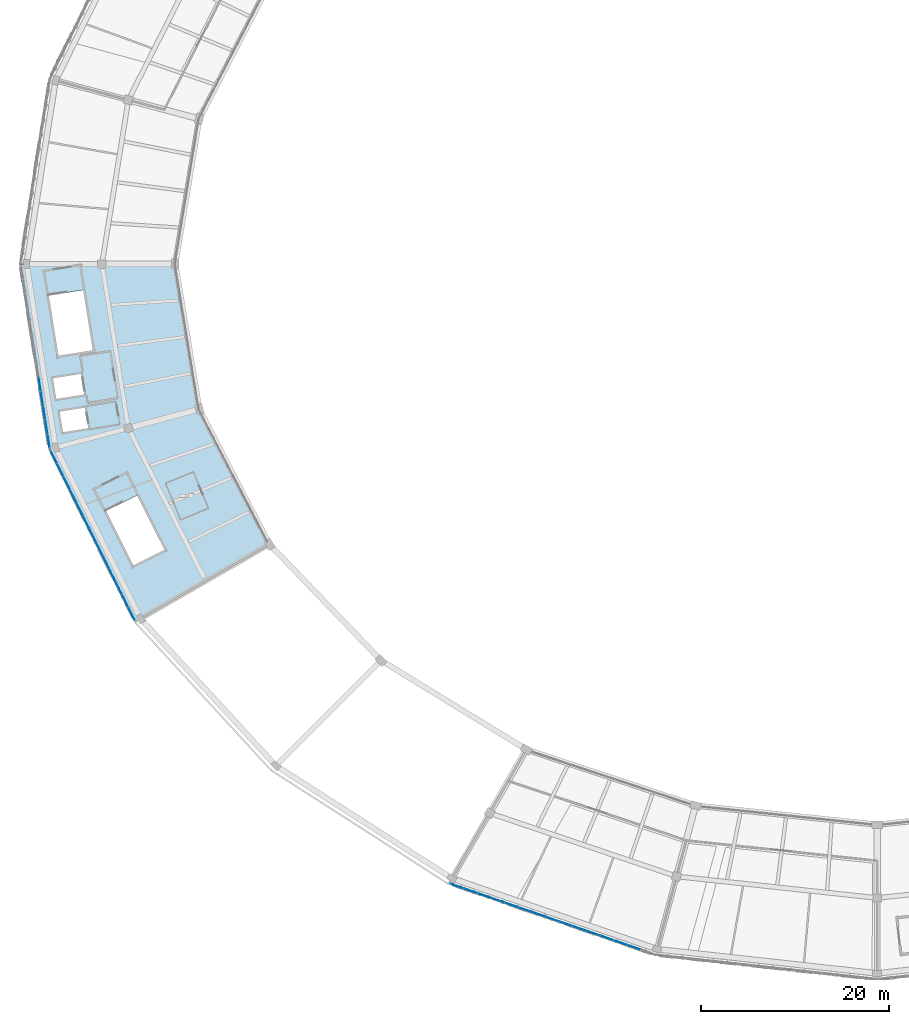
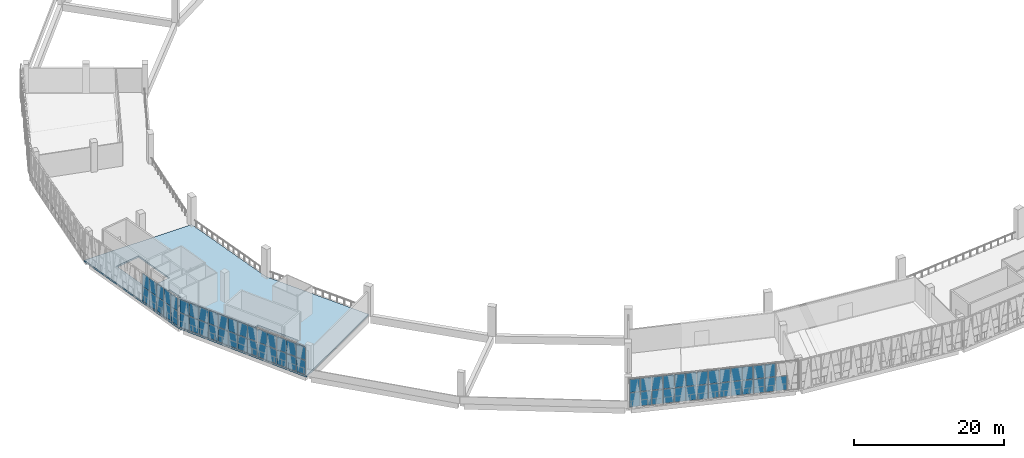
# One storey, part 33 of 64: 63 plates, 1 slab, 3 elements without a shape of their own.
"""IFC4 building model written with IfcOpenShell, lengths in metres."""

from ifc_helpers import new_model, si_unit, direction, frame, origin, origin_2d, place, context, subcontext, project, spatial, polyline, rectangle, outline, extrude, material, layer, layer_set, type_object, element, aggregate, save


model = new_model("IFC4")

# Units and contexts
model_context = context("Model", 3, precision=1e-05, world=origin(), true_north=direction((0.0, 1.0)))
body_context = subcontext(model_context, "Body", "Model", "MODEL_VIEW")
ifc_project = project(units=[si_unit("LENGTHUNIT", "METRE"), si_unit("AREAUNIT", "SQUARE_METRE"), si_unit("VOLUMEUNIT", "CUBIC_METRE"), si_unit("PLANEANGLEUNIT", "RADIAN"), si_unit("MASSUNIT", "GRAM", prefix="KILO")], contexts=[model_context])

# Site, building, storey
site_placement = place(None, origin())
site = spatial("IfcSite", under=ifc_project, at=site_placement, CompositionType="ELEMENT")
building_placement = place(site_placement, origin())
building = spatial("IfcBuilding", under=site, at=building_placement, Name="Zevraka Park Crest Stadium", CompositionType="ELEMENT")
storey_placement = place(building_placement, frame((0.0, 0.0, 24.60009765625)))
storey = spatial("IfcBuildingStorey", under=building, at=storey_placement, Name="L05", CompositionType="ELEMENT", Elevation=24.60009765625)

# Curtain wall, plates
ifc_material_1 = material(Name="Anodised architectural aluminium and laminated safety glass", Category="aluminium")
curtain_wall_type_1 = type_object("IfcCurtainWallType", Name="CW21", PredefinedType="NOTDEFINED", material=ifc_material_1)
curtain_wall_1_placement = place(storey_placement, origin())
curtain_wall_1 = element("IfcCurtainWall", 1, at=curtain_wall_1_placement, inside=storey, type_object=curtain_wall_type_1, Name="Unitised Ring Curtain Wall CW21 L05-12", PredefinedType="NOTDEFINED")
ifc_material_2 = material(Name="Solar-control laminated double glazing", Category="glass")
ifc_layer_1 = layer(ifc_material_2, 0.031982421875)
ifc_layer_set_1 = layer_set([ifc_layer_1], Name="Solar-control laminated double glazing")
plate_type_1 = type_object("IfcPlateType", Name="CP21", PredefinedType="CURTAIN_PANEL", material=ifc_layer_set_1)
plate_1_placement = place(storey_placement, frame((23.099853515625, 79.19384765625, 0.06982421875), z_axis=(0.0, 0.0, 1.0), x_axis=(0.155711467527, -0.987802580924, 0.0)))
plate_1 = element("IfcPlate", 2, at=plate_1_placement, type_object=plate_type_1, Name="CW21 panel 9.1", PredefinedType="CURTAIN_PANEL", context=body_context, shape_type="SweptSolid", body=[
    extrude(rectangle(XDim=1.440185546875, YDim=0.031982421875, at=origin_2d()), origin(), (0.0, 0.0, 1.0), 2.294921875),
])
plate_2_placement = place(storey_placement, frame((23.099853515625, 79.19384765625, 2.43505859375), z_axis=(0.0, 0.0, 1.0), x_axis=(0.155711467527, -0.987802580924, 0.0)))
plate_2 = element("IfcPlate", 3, at=plate_2_placement, type_object=plate_type_1, Name="CW21 panel 9.2", PredefinedType="CURTAIN_PANEL", context=body_context, shape_type="SweptSolid", body=[
    extrude(rectangle(XDim=1.440185546875, YDim=0.031982421875, at=origin_2d()), origin(), (0.0, 0.0, 1.0), 2.114990234375),
])
plate_3_placement = place(storey_placement, frame((23.3349609375, 77.7021484375, 0.06982421875), z_axis=(0.0, 0.0, 1.0), x_axis=(0.155711467527, -0.987802580924, 0.0)))
plate_3 = element("IfcPlate", 4, at=plate_3_placement, type_object=plate_type_1, Name="CW21 panel 10.1", PredefinedType="CURTAIN_PANEL", context=body_context, shape_type="SweptSolid", body=[
    extrude(rectangle(XDim=1.440185546875, YDim=0.031982421875, at=origin_2d()), origin(), (0.0, 0.0, 1.0), 2.294921875),
])
plate_4_placement = place(storey_placement, frame((23.3349609375, 77.7021484375, 2.43505859375), z_axis=(0.0, 0.0, 1.0), x_axis=(0.155711467527, -0.987802580924, 0.0)))
plate_4 = element("IfcPlate", 5, at=plate_4_placement, type_object=plate_type_1, Name="CW21 panel 10.2", PredefinedType="CURTAIN_PANEL", context=body_context, shape_type="SweptSolid", body=[
    extrude(rectangle(XDim=1.440185546875, YDim=0.031982421875, at=origin_2d()), origin(), (0.0, 0.0, 1.0), 2.114990234375),
])
plate_5_placement = place(storey_placement, frame((23.570068359375, 76.21044921875, 0.06982421875), z_axis=(0.0, 0.0, 1.0), x_axis=(0.155711467527, -0.987802580924, 0.0)))
plate_5 = element("IfcPlate", 6, at=plate_5_placement, type_object=plate_type_1, Name="CW21 panel 11.1", PredefinedType="CURTAIN_PANEL", context=body_context, shape_type="SweptSolid", body=[
    extrude(rectangle(XDim=1.440185546875, YDim=0.031982421875, at=origin_2d()), origin(), (0.0, 0.0, 1.0), 2.294921875),
])
plate_6_placement = place(storey_placement, frame((23.570068359375, 76.21044921875, 2.43505859375), z_axis=(0.0, 0.0, 1.0), x_axis=(0.155711467527, -0.987802580924, 0.0)))
plate_6 = element("IfcPlate", 7, at=plate_6_placement, type_object=plate_type_1, Name="CW21 panel 11.2", PredefinedType="CURTAIN_PANEL", context=body_context, shape_type="SweptSolid", body=[
    extrude(rectangle(XDim=1.440185546875, YDim=0.031982421875, at=origin_2d()), origin(), (0.0, 0.0, 1.0), 2.114990234375),
])
plate_7_placement = place(storey_placement, frame((23.80517578125, 74.71875, 0.06982421875), z_axis=(0.0, 0.0, 1.0), x_axis=(0.155711467527, -0.987802580924, 0.0)))
plate_7 = element("IfcPlate", 8, at=plate_7_placement, type_object=plate_type_1, Name="CW21 panel 12.1", PredefinedType="CURTAIN_PANEL", context=body_context, shape_type="SweptSolid", body=[
    extrude(rectangle(XDim=1.440185546875, YDim=0.031982421875, at=origin_2d()), origin(), (0.0, 0.0, 1.0), 2.294921875),
])
plate_8_placement = place(storey_placement, frame((23.80517578125, 74.71875, 2.43505859375), z_axis=(0.0, 0.0, 1.0), x_axis=(0.155711467527, -0.987802580924, 0.0)))
plate_8 = element("IfcPlate", 9, at=plate_8_placement, type_object=plate_type_1, Name="CW21 panel 12.2", PredefinedType="CURTAIN_PANEL", context=body_context, shape_type="SweptSolid", body=[
    extrude(rectangle(XDim=1.440185546875, YDim=0.031982421875, at=origin_2d()), origin(), (0.0, 0.0, 1.0), 2.114990234375),
])
plate_9_placement = place(storey_placement, frame((24.03759765625, 73.244140625, 0.06982421875), z_axis=(0.0, 0.0, 1.0), x_axis=(0.155711467527, -0.987802580924, 0.0)))
plate_9 = element("IfcPlate", 10, at=plate_9_placement, type_object=plate_type_1, Name="CW21 panel 13.1", PredefinedType="CURTAIN_PANEL", context=body_context, shape_type="SweptSolid", body=[
    extrude(rectangle(XDim=1.4052734375, YDim=0.031982421875, at=origin_2d()), origin(), (0.0, 0.0, 1.0), 2.294921875),
])
plate_10_placement = place(storey_placement, frame((24.03759765625, 73.244140625, 2.43505859375), z_axis=(0.0, 0.0, 1.0), x_axis=(0.155711467527, -0.987802580924, 0.0)))
plate_10 = element("IfcPlate", 11, at=plate_10_placement, type_object=plate_type_1, Name="CW21 panel 13.2", PredefinedType="CURTAIN_PANEL", context=body_context, shape_type="SweptSolid", body=[
    extrude(rectangle(XDim=1.4052734375, YDim=0.031982421875, at=origin_2d()), origin(), (0.0, 0.0, 1.0), 2.114990234375),
])
aggregate(curtain_wall_1, [plate_1, plate_2, plate_3, plate_4, plate_5, plate_6, plate_7, plate_8, plate_9, plate_10])

ifc_material_3 = material(Name="Anodised architectural aluminium and laminated safety glass", Category="aluminium")
curtain_wall_type_2 = type_object("IfcCurtainWallType", Name="CW22", PredefinedType="NOTDEFINED", material=ifc_material_3)
curtain_wall_2_placement = place(storey_placement, origin())
curtain_wall_2 = element("IfcCurtainWall", 12, at=curtain_wall_2_placement, inside=storey, type_object=curtain_wall_type_2, Name="Unitised Ring Curtain Wall CW22 L05-13", PredefinedType="NOTDEFINED")
ifc_material_4 = material(Name="Solar-control laminated double glazing", Category="glass")
ifc_layer_2 = layer(ifc_material_4, 0.031982421875)
ifc_layer_set_2 = layer_set([ifc_layer_2], Name="Solar-control laminated double glazing")
plate_type_2 = type_object("IfcPlateType", Name="CP22", PredefinedType="CURTAIN_PANEL", material=ifc_layer_set_2)
plate_11_placement = place(storey_placement, frame((24.58642578125, 71.53125, 0.059814453125), z_axis=(0.0, 0.0, 1.0), x_axis=(0.444297471499, -0.895879320455, 0.0)))
plate_11 = element("IfcPlate", 13, at=plate_11_placement, type_object=plate_type_2, Name="CW22 panel 1.1", PredefinedType="CURTAIN_PANEL", context=body_context, shape_type="SweptSolid", body=[
    extrude(rectangle(XDim=1.46240234375, YDim=0.031982421875, at=origin_2d()), origin(), (0.0, 0.0, 1.0), 2.31005859375),
])
plate_12_placement = place(storey_placement, frame((24.58642578125, 71.53125, 2.429931640625), z_axis=(0.0, 0.0, 1.0), x_axis=(0.444297471499, -0.895879320455, 0.0)))
plate_12 = element("IfcPlate", 14, at=plate_12_placement, type_object=plate_type_2, Name="CW22 panel 1.2", PredefinedType="CURTAIN_PANEL", context=body_context, shape_type="SweptSolid", body=[
    extrude(rectangle(XDim=1.46240234375, YDim=0.031982421875, at=origin_2d()), origin(), (0.0, 0.0, 1.0), 2.1298828125),
])
plate_13_placement = place(storey_placement, frame((25.26953125, 70.154052734375, 0.059814453125), z_axis=(0.0, 0.0, 1.0), x_axis=(0.444297471499, -0.895879320455, 0.0)))
plate_13 = element("IfcPlate", 15, at=plate_13_placement, type_object=plate_type_2, Name="CW22 panel 2.1", PredefinedType="CURTAIN_PANEL", context=body_context, shape_type="SweptSolid", body=[
    extrude(rectangle(XDim=1.492431640625, YDim=0.031982421875, at=origin_2d()), origin(), (0.0, 0.0, 1.0), 2.31005859375),
])
plate_14_placement = place(storey_placement, frame((25.26953125, 70.154052734375, 2.429931640625), z_axis=(0.0, 0.0, 1.0), x_axis=(0.444297471499, -0.895879320455, 0.0)))
plate_14 = element("IfcPlate", 16, at=plate_14_placement, type_object=plate_type_2, Name="CW22 panel 2.2", PredefinedType="CURTAIN_PANEL", context=body_context, shape_type="SweptSolid", body=[
    extrude(rectangle(XDim=1.492431640625, YDim=0.031982421875, at=origin_2d()), origin(), (0.0, 0.0, 1.0), 2.1298828125),
])
plate_15_placement = place(storey_placement, frame((25.959228515625, 68.76318359375, 0.059814453125), z_axis=(0.0, 0.0, 1.0), x_axis=(0.444297471499, -0.895879320455, 0.0)))
plate_15 = element("IfcPlate", 17, at=plate_15_placement, type_object=plate_type_2, Name="CW22 panel 3.1", PredefinedType="CURTAIN_PANEL", context=body_context, shape_type="SweptSolid", body=[
    extrude(rectangle(XDim=1.492431640625, YDim=0.031982421875, at=origin_2d()), origin(), (0.0, 0.0, 1.0), 2.31005859375),
])
plate_16_placement = place(storey_placement, frame((25.959228515625, 68.76318359375, 2.429931640625), z_axis=(0.0, 0.0, 1.0), x_axis=(0.444297471499, -0.895879320455, 0.0)))
plate_16 = element("IfcPlate", 18, at=plate_16_placement, type_object=plate_type_2, Name="CW22 panel 3.2", PredefinedType="CURTAIN_PANEL", context=body_context, shape_type="SweptSolid", body=[
    extrude(rectangle(XDim=1.492431640625, YDim=0.031982421875, at=origin_2d()), origin(), (0.0, 0.0, 1.0), 2.1298828125),
])
plate_17_placement = place(storey_placement, frame((26.64892578125, 67.37255859375, 0.059814453125), z_axis=(0.0, 0.0, 1.0), x_axis=(0.444297471499, -0.895879320455, 0.0)))
plate_17 = element("IfcPlate", 19, at=plate_17_placement, type_object=plate_type_2, Name="CW22 panel 4.1", PredefinedType="CURTAIN_PANEL", context=body_context, shape_type="SweptSolid", body=[
    extrude(rectangle(XDim=1.492431640625, YDim=0.031982421875, at=origin_2d()), origin(), (0.0, 0.0, 1.0), 2.31005859375),
])
plate_18_placement = place(storey_placement, frame((26.64892578125, 67.37255859375, 2.429931640625), z_axis=(0.0, 0.0, 1.0), x_axis=(0.444297471499, -0.895879320455, 0.0)))
plate_18 = element("IfcPlate", 20, at=plate_18_placement, type_object=plate_type_2, Name="CW22 panel 4.2", PredefinedType="CURTAIN_PANEL", context=body_context, shape_type="SweptSolid", body=[
    extrude(rectangle(XDim=1.492431640625, YDim=0.031982421875, at=origin_2d()), origin(), (0.0, 0.0, 1.0), 2.1298828125),
])
plate_19_placement = place(storey_placement, frame((27.338623046875, 65.98193359375, 0.059814453125), z_axis=(0.0, 0.0, 1.0), x_axis=(0.444297471499, -0.895879320455, 0.0)))
plate_19 = element("IfcPlate", 21, at=plate_19_placement, type_object=plate_type_2, Name="CW22 panel 5.1", PredefinedType="CURTAIN_PANEL", context=body_context, shape_type="SweptSolid", body=[
    extrude(rectangle(XDim=1.492431640625, YDim=0.031982421875, at=origin_2d()), origin(), (0.0, 0.0, 1.0), 2.31005859375),
])
plate_20_placement = place(storey_placement, frame((27.338623046875, 65.98193359375, 2.429931640625), z_axis=(0.0, 0.0, 1.0), x_axis=(0.444297471499, -0.895879320455, 0.0)))
plate_20 = element("IfcPlate", 22, at=plate_20_placement, type_object=plate_type_2, Name="CW22 panel 5.2", PredefinedType="CURTAIN_PANEL", context=body_context, shape_type="SweptSolid", body=[
    extrude(rectangle(XDim=1.492431640625, YDim=0.031982421875, at=origin_2d()), origin(), (0.0, 0.0, 1.0), 2.1298828125),
])
plate_21_placement = place(storey_placement, frame((28.0283203125, 64.59130859375, 0.059814453125), z_axis=(0.0, 0.0, 1.0), x_axis=(0.444297471499, -0.895879320455, 0.0)))
plate_21 = element("IfcPlate", 23, at=plate_21_placement, type_object=plate_type_2, Name="CW22 panel 6.1", PredefinedType="CURTAIN_PANEL", context=body_context, shape_type="SweptSolid", body=[
    extrude(rectangle(XDim=1.492431640625, YDim=0.031982421875, at=origin_2d()), origin(), (0.0, 0.0, 1.0), 2.31005859375),
])
plate_22_placement = place(storey_placement, frame((28.0283203125, 64.59130859375, 2.429931640625), z_axis=(0.0, 0.0, 1.0), x_axis=(0.444297471499, -0.895879320455, 0.0)))
plate_22 = element("IfcPlate", 24, at=plate_22_placement, type_object=plate_type_2, Name="CW22 panel 6.2", PredefinedType="CURTAIN_PANEL", context=body_context, shape_type="SweptSolid", body=[
    extrude(rectangle(XDim=1.492431640625, YDim=0.031982421875, at=origin_2d()), origin(), (0.0, 0.0, 1.0), 2.1298828125),
])
plate_23_placement = place(storey_placement, frame((28.718017578125, 63.200439453125, 0.059814453125), z_axis=(0.0, 0.0, 1.0), x_axis=(0.444297471499, -0.895879320455, 0.0)))
plate_23 = element("IfcPlate", 25, at=plate_23_placement, type_object=plate_type_2, Name="CW22 panel 7.1", PredefinedType="CURTAIN_PANEL", context=body_context, shape_type="SweptSolid", body=[
    extrude(rectangle(XDim=1.492431640625, YDim=0.031982421875, at=origin_2d()), origin(), (0.0, 0.0, 1.0), 2.31005859375),
])
plate_24_placement = place(storey_placement, frame((28.718017578125, 63.200439453125, 2.429931640625), z_axis=(0.0, 0.0, 1.0), x_axis=(0.444297471499, -0.895879320455, 0.0)))
plate_24 = element("IfcPlate", 26, at=plate_24_placement, type_object=plate_type_2, Name="CW22 panel 7.2", PredefinedType="CURTAIN_PANEL", context=body_context, shape_type="SweptSolid", body=[
    extrude(rectangle(XDim=1.492431640625, YDim=0.031982421875, at=origin_2d()), origin(), (0.0, 0.0, 1.0), 2.1298828125),
])
plate_25_placement = place(storey_placement, frame((29.40771484375, 61.809814453125, 0.059814453125), z_axis=(0.0, 0.0, 1.0), x_axis=(0.444297471499, -0.895879320455, 0.0)))
plate_25 = element("IfcPlate", 27, at=plate_25_placement, type_object=plate_type_2, Name="CW22 panel 8.1", PredefinedType="CURTAIN_PANEL", context=body_context, shape_type="SweptSolid", body=[
    extrude(rectangle(XDim=1.492431640625, YDim=0.031982421875, at=origin_2d()), origin(), (0.0, 0.0, 1.0), 2.31005859375),
])
plate_26_placement = place(storey_placement, frame((29.40771484375, 61.809814453125, 2.429931640625), z_axis=(0.0, 0.0, 1.0), x_axis=(0.444297471499, -0.895879320455, 0.0)))
plate_26 = element("IfcPlate", 28, at=plate_26_placement, type_object=plate_type_2, Name="CW22 panel 8.2", PredefinedType="CURTAIN_PANEL", context=body_context, shape_type="SweptSolid", body=[
    extrude(rectangle(XDim=1.492431640625, YDim=0.031982421875, at=origin_2d()), origin(), (0.0, 0.0, 1.0), 2.1298828125),
])
plate_27_placement = place(storey_placement, frame((30.097412109375, 60.419189453125, 0.059814453125), z_axis=(0.0, 0.0, 1.0), x_axis=(0.444297471499, -0.895879320455, 0.0)))
plate_27 = element("IfcPlate", 29, at=plate_27_placement, type_object=plate_type_2, Name="CW22 panel 9.1", PredefinedType="CURTAIN_PANEL", context=body_context, shape_type="SweptSolid", body=[
    extrude(rectangle(XDim=1.492431640625, YDim=0.031982421875, at=origin_2d()), origin(), (0.0, 0.0, 1.0), 2.31005859375),
])
plate_28_placement = place(storey_placement, frame((30.097412109375, 60.419189453125, 2.429931640625), z_axis=(0.0, 0.0, 1.0), x_axis=(0.444297471499, -0.895879320455, 0.0)))
plate_28 = element("IfcPlate", 30, at=plate_28_placement, type_object=plate_type_2, Name="CW22 panel 9.2", PredefinedType="CURTAIN_PANEL", context=body_context, shape_type="SweptSolid", body=[
    extrude(rectangle(XDim=1.492431640625, YDim=0.031982421875, at=origin_2d()), origin(), (0.0, 0.0, 1.0), 2.1298828125),
])
plate_29_placement = place(storey_placement, frame((30.787109375, 59.0283203125, 0.059814453125), z_axis=(0.0, 0.0, 1.0), x_axis=(0.444297471499, -0.895879320455, 0.0)))
plate_29 = element("IfcPlate", 31, at=plate_29_placement, type_object=plate_type_2, Name="CW22 panel 10.1", PredefinedType="CURTAIN_PANEL", context=body_context, shape_type="SweptSolid", body=[
    extrude(rectangle(XDim=1.492431640625, YDim=0.031982421875, at=origin_2d()), origin(), (0.0, 0.0, 1.0), 2.31005859375),
])
plate_30_placement = place(storey_placement, frame((30.787109375, 59.0283203125, 2.429931640625), z_axis=(0.0, 0.0, 1.0), x_axis=(0.444297471499, -0.895879320455, 0.0)))
plate_30 = element("IfcPlate", 32, at=plate_30_placement, type_object=plate_type_2, Name="CW22 panel 10.2", PredefinedType="CURTAIN_PANEL", context=body_context, shape_type="SweptSolid", body=[
    extrude(rectangle(XDim=1.492431640625, YDim=0.031982421875, at=origin_2d()), origin(), (0.0, 0.0, 1.0), 2.1298828125),
])
plate_31_placement = place(storey_placement, frame((31.476806640625, 57.6376953125, 0.059814453125), z_axis=(0.0, 0.0, 1.0), x_axis=(0.444297471499, -0.895879320455, 0.0)))
plate_31 = element("IfcPlate", 33, at=plate_31_placement, type_object=plate_type_2, Name="CW22 panel 11.1", PredefinedType="CURTAIN_PANEL", context=body_context, shape_type="SweptSolid", body=[
    extrude(rectangle(XDim=1.492431640625, YDim=0.031982421875, at=origin_2d()), origin(), (0.0, 0.0, 1.0), 2.31005859375),
])
plate_32_placement = place(storey_placement, frame((31.476806640625, 57.6376953125, 2.429931640625), z_axis=(0.0, 0.0, 1.0), x_axis=(0.444297471499, -0.895879320455, 0.0)))
plate_32 = element("IfcPlate", 34, at=plate_32_placement, type_object=plate_type_2, Name="CW22 panel 11.2", PredefinedType="CURTAIN_PANEL", context=body_context, shape_type="SweptSolid", body=[
    extrude(rectangle(XDim=1.492431640625, YDim=0.031982421875, at=origin_2d()), origin(), (0.0, 0.0, 1.0), 2.1298828125),
])
plate_33_placement = place(storey_placement, frame((32.16650390625, 56.2470703125, 0.059814453125), z_axis=(0.0, 0.0, 1.0), x_axis=(0.444297471499, -0.895879320455, 0.0)))
plate_33 = element("IfcPlate", 35, at=plate_33_placement, type_object=plate_type_2, Name="CW22 panel 12.1", PredefinedType="CURTAIN_PANEL", context=body_context, shape_type="SweptSolid", body=[
    extrude(rectangle(XDim=1.492431640625, YDim=0.031982421875, at=origin_2d()), origin(), (0.0, 0.0, 1.0), 2.31005859375),
])
plate_34_placement = place(storey_placement, frame((32.16650390625, 56.2470703125, 2.429931640625), z_axis=(0.0, 0.0, 1.0), x_axis=(0.444297471499, -0.895879320455, 0.0)))
plate_34 = element("IfcPlate", 36, at=plate_34_placement, type_object=plate_type_2, Name="CW22 panel 12.2", PredefinedType="CURTAIN_PANEL", context=body_context, shape_type="SweptSolid", body=[
    extrude(rectangle(XDim=1.492431640625, YDim=0.031982421875, at=origin_2d()), origin(), (0.0, 0.0, 1.0), 2.1298828125),
])
plate_35_placement = place(storey_placement, frame((32.849609375, 54.869873046875, 0.059814453125), z_axis=(0.0, 0.0, 1.0), x_axis=(0.444297471499, -0.895879320455, 0.0)))
plate_35 = element("IfcPlate", 37, at=plate_35_placement, type_object=plate_type_2, Name="CW22 panel 13.1", PredefinedType="CURTAIN_PANEL", context=body_context, shape_type="SweptSolid", body=[
    extrude(rectangle(XDim=1.46240234375, YDim=0.031982421875, at=origin_2d()), origin(), (0.0, 0.0, 1.0), 2.31005859375),
])
plate_36_placement = place(storey_placement, frame((32.849609375, 54.869873046875, 2.429931640625), z_axis=(0.0, 0.0, 1.0), x_axis=(0.444297471499, -0.895879320455, 0.0)))
plate_36 = element("IfcPlate", 38, at=plate_36_placement, type_object=plate_type_2, Name="CW22 panel 13.2", PredefinedType="CURTAIN_PANEL", context=body_context, shape_type="SweptSolid", body=[
    extrude(rectangle(XDim=1.46240234375, YDim=0.031982421875, at=origin_2d()), origin(), (0.0, 0.0, 1.0), 2.1298828125),
])
aggregate(curtain_wall_2, [plate_11, plate_12, plate_13, plate_14, plate_15, plate_16, plate_17, plate_18, plate_19, plate_20, plate_21, plate_22, plate_23, plate_24, plate_25, plate_26, plate_27, plate_28, plate_29, plate_30, plate_31, plate_32, plate_33, plate_34, plate_35, plate_36])

curtain_wall_3_placement = place(storey_placement, origin())
curtain_wall_3 = element("IfcCurtainWall", 39, at=curtain_wall_3_placement, inside=storey, type_object=curtain_wall_type_2, Name="Unitised Ring Curtain Wall CW22 L05-16", PredefinedType="NOTDEFINED")
plate_37_placement = place(storey_placement, frame((67.39501953125, 25.95703125, 0.059814453125), z_axis=(0.0, 0.0, 1.0), x_axis=(0.945048755979, -0.326929424834, 0.0)))
plate_37 = element("IfcPlate", 40, at=plate_37_placement, type_object=plate_type_2, Name="CW22 panel 1.1", PredefinedType="CURTAIN_PANEL", context=body_context, shape_type="SweptSolid", body=[
    extrude(rectangle(XDim=1.439697265625, YDim=0.031982421875, at=origin_2d()), origin(), (0.0, 0.0, 1.0), 2.31005859375),
])
plate_38_placement = place(storey_placement, frame((67.39501953125, 25.95703125, 2.429931640625), z_axis=(0.0, 0.0, 1.0), x_axis=(0.945048755979, -0.326929424834, 0.0)))
plate_38 = element("IfcPlate", 41, at=plate_38_placement, type_object=plate_type_2, Name="CW22 panel 1.2", PredefinedType="CURTAIN_PANEL", context=body_context, shape_type="SweptSolid", body=[
    extrude(rectangle(XDim=1.439697265625, YDim=0.031982421875, at=origin_2d()), origin(), (0.0, 0.0, 1.0), 2.1298828125),
])
plate_39_placement = place(storey_placement, frame((68.826416015625, 25.4619140625, 0.059814453125), z_axis=(0.0, 0.0, 1.0), x_axis=(0.945048755979, -0.326929424834, 0.0)))
plate_39 = element("IfcPlate", 42, at=plate_39_placement, type_object=plate_type_2, Name="CW22 panel 2.1", PredefinedType="CURTAIN_PANEL", context=body_context, shape_type="SweptSolid", body=[
    extrude(rectangle(XDim=1.469482421875, YDim=0.031982421875, at=origin_2d()), origin(), (0.0, 0.0, 1.0), 2.31005859375),
])
plate_40_placement = place(storey_placement, frame((68.826416015625, 25.4619140625, 2.429931640625), z_axis=(0.0, 0.0, 1.0), x_axis=(0.945048755979, -0.326929424834, 0.0)))
plate_40 = element("IfcPlate", 43, at=plate_40_placement, type_object=plate_type_2, Name="CW22 panel 2.2", PredefinedType="CURTAIN_PANEL", context=body_context, shape_type="SweptSolid", body=[
    extrude(rectangle(XDim=1.469482421875, YDim=0.031982421875, at=origin_2d()), origin(), (0.0, 0.0, 1.0), 2.1298828125),
])
plate_41_placement = place(storey_placement, frame((70.271728515625, 24.9619140625, 0.059814453125), z_axis=(0.0, 0.0, 1.0), x_axis=(0.945048755979, -0.326929424834, 0.0)))
plate_41 = element("IfcPlate", 44, at=plate_41_placement, type_object=plate_type_2, Name="CW22 panel 3.1", PredefinedType="CURTAIN_PANEL", context=body_context, shape_type="SweptSolid", body=[
    extrude(rectangle(XDim=1.469482421875, YDim=0.031982421875, at=origin_2d()), origin(), (0.0, 0.0, 1.0), 2.31005859375),
])
plate_42_placement = place(storey_placement, frame((70.271728515625, 24.9619140625, 2.429931640625), z_axis=(0.0, 0.0, 1.0), x_axis=(0.945048755979, -0.326929424834, 0.0)))
plate_42 = element("IfcPlate", 45, at=plate_42_placement, type_object=plate_type_2, Name="CW22 panel 3.2", PredefinedType="CURTAIN_PANEL", context=body_context, shape_type="SweptSolid", body=[
    extrude(rectangle(XDim=1.469482421875, YDim=0.031982421875, at=origin_2d()), origin(), (0.0, 0.0, 1.0), 2.1298828125),
])
plate_43_placement = place(storey_placement, frame((71.71728515625, 24.461669921875, 0.059814453125), z_axis=(0.0, 0.0, 1.0), x_axis=(0.945048755979, -0.326929424834, 0.0)))
plate_43 = element("IfcPlate", 46, at=plate_43_placement, type_object=plate_type_2, Name="CW22 panel 4.1", PredefinedType="CURTAIN_PANEL", context=body_context, shape_type="SweptSolid", body=[
    extrude(rectangle(XDim=1.469482421875, YDim=0.031982421875, at=origin_2d()), origin(), (0.0, 0.0, 1.0), 2.31005859375),
])
plate_44_placement = place(storey_placement, frame((71.71728515625, 24.461669921875, 2.429931640625), z_axis=(0.0, 0.0, 1.0), x_axis=(0.945048755979, -0.326929424834, 0.0)))
plate_44 = element("IfcPlate", 47, at=plate_44_placement, type_object=plate_type_2, Name="CW22 panel 4.2", PredefinedType="CURTAIN_PANEL", context=body_context, shape_type="SweptSolid", body=[
    extrude(rectangle(XDim=1.469482421875, YDim=0.031982421875, at=origin_2d()), origin(), (0.0, 0.0, 1.0), 2.1298828125),
])
plate_45_placement = place(storey_placement, frame((73.162841796875, 23.961669921875, 0.059814453125), z_axis=(0.0, 0.0, 1.0), x_axis=(0.945048755979, -0.326929424834, 0.0)))
plate_45 = element("IfcPlate", 48, at=plate_45_placement, type_object=plate_type_2, Name="CW22 panel 5.1", PredefinedType="CURTAIN_PANEL", context=body_context, shape_type="SweptSolid", body=[
    extrude(rectangle(XDim=1.469482421875, YDim=0.031982421875, at=origin_2d()), origin(), (0.0, 0.0, 1.0), 2.31005859375),
])
plate_46_placement = place(storey_placement, frame((73.162841796875, 23.961669921875, 2.429931640625), z_axis=(0.0, 0.0, 1.0), x_axis=(0.945048755979, -0.326929424834, 0.0)))
plate_46 = element("IfcPlate", 49, at=plate_46_placement, type_object=plate_type_2, Name="CW22 panel 5.2", PredefinedType="CURTAIN_PANEL", context=body_context, shape_type="SweptSolid", body=[
    extrude(rectangle(XDim=1.469482421875, YDim=0.031982421875, at=origin_2d()), origin(), (0.0, 0.0, 1.0), 2.1298828125),
])
plate_47_placement = place(storey_placement, frame((74.6083984375, 23.461669921875, 0.059814453125), z_axis=(0.0, 0.0, 1.0), x_axis=(0.945048755979, -0.326929424834, 0.0)))
plate_47 = element("IfcPlate", 50, at=plate_47_placement, type_object=plate_type_2, Name="CW22 panel 6.1", PredefinedType="CURTAIN_PANEL", context=body_context, shape_type="SweptSolid", body=[
    extrude(rectangle(XDim=1.469482421875, YDim=0.031982421875, at=origin_2d()), origin(), (0.0, 0.0, 1.0), 2.31005859375),
])
plate_48_placement = place(storey_placement, frame((74.6083984375, 23.461669921875, 2.429931640625), z_axis=(0.0, 0.0, 1.0), x_axis=(0.945048755979, -0.326929424834, 0.0)))
plate_48 = element("IfcPlate", 51, at=plate_48_placement, type_object=plate_type_2, Name="CW22 panel 6.2", PredefinedType="CURTAIN_PANEL", context=body_context, shape_type="SweptSolid", body=[
    extrude(rectangle(XDim=1.469482421875, YDim=0.031982421875, at=origin_2d()), origin(), (0.0, 0.0, 1.0), 2.1298828125),
])
plate_49_placement = place(storey_placement, frame((76.053955078125, 22.961669921875, 0.059814453125), z_axis=(0.0, 0.0, 1.0), x_axis=(0.945048755979, -0.326929424834, 0.0)))
plate_49 = element("IfcPlate", 52, at=plate_49_placement, type_object=plate_type_2, Name="CW22 panel 7.1", PredefinedType="CURTAIN_PANEL", context=body_context, shape_type="SweptSolid", body=[
    extrude(rectangle(XDim=1.469482421875, YDim=0.031982421875, at=origin_2d()), origin(), (0.0, 0.0, 1.0), 2.31005859375),
])
plate_50_placement = place(storey_placement, frame((76.053955078125, 22.961669921875, 2.429931640625), z_axis=(0.0, 0.0, 1.0), x_axis=(0.945048755979, -0.326929424834, 0.0)))
plate_50 = element("IfcPlate", 53, at=plate_50_placement, type_object=plate_type_2, Name="CW22 panel 7.2", PredefinedType="CURTAIN_PANEL", context=body_context, shape_type="SweptSolid", body=[
    extrude(rectangle(XDim=1.469482421875, YDim=0.031982421875, at=origin_2d()), origin(), (0.0, 0.0, 1.0), 2.1298828125),
])
plate_51_placement = place(storey_placement, frame((77.49951171875, 22.46142578125, 0.059814453125), z_axis=(0.0, 0.0, 1.0), x_axis=(0.945048755979, -0.326929424834, 0.0)))
plate_51 = element("IfcPlate", 54, at=plate_51_placement, type_object=plate_type_2, Name="CW22 panel 8.1", PredefinedType="CURTAIN_PANEL", context=body_context, shape_type="SweptSolid", body=[
    extrude(rectangle(XDim=1.469482421875, YDim=0.031982421875, at=origin_2d()), origin(), (0.0, 0.0, 1.0), 2.31005859375),
])
plate_52_placement = place(storey_placement, frame((77.49951171875, 22.46142578125, 2.429931640625), z_axis=(0.0, 0.0, 1.0), x_axis=(0.945048755979, -0.326929424834, 0.0)))
plate_52 = element("IfcPlate", 55, at=plate_52_placement, type_object=plate_type_2, Name="CW22 panel 8.2", PredefinedType="CURTAIN_PANEL", context=body_context, shape_type="SweptSolid", body=[
    extrude(rectangle(XDim=1.469482421875, YDim=0.031982421875, at=origin_2d()), origin(), (0.0, 0.0, 1.0), 2.1298828125),
])
plate_53_placement = place(storey_placement, frame((78.945068359375, 21.96142578125, 0.059814453125), z_axis=(0.0, 0.0, 1.0), x_axis=(0.945048755979, -0.326929424834, 0.0)))
plate_53 = element("IfcPlate", 56, at=plate_53_placement, type_object=plate_type_2, Name="CW22 panel 9.1", PredefinedType="CURTAIN_PANEL", context=body_context, shape_type="SweptSolid", body=[
    extrude(rectangle(XDim=1.469482421875, YDim=0.031982421875, at=origin_2d()), origin(), (0.0, 0.0, 1.0), 2.31005859375),
])
plate_54_placement = place(storey_placement, frame((78.945068359375, 21.96142578125, 2.429931640625), z_axis=(0.0, 0.0, 1.0), x_axis=(0.945048755979, -0.326929424834, 0.0)))
plate_54 = element("IfcPlate", 57, at=plate_54_placement, type_object=plate_type_2, Name="CW22 panel 9.2", PredefinedType="CURTAIN_PANEL", context=body_context, shape_type="SweptSolid", body=[
    extrude(rectangle(XDim=1.469482421875, YDim=0.031982421875, at=origin_2d()), origin(), (0.0, 0.0, 1.0), 2.1298828125),
])
plate_55_placement = place(storey_placement, frame((80.390625, 21.46142578125, 0.059814453125), z_axis=(0.0, 0.0, 1.0), x_axis=(0.945048755979, -0.326929424834, 0.0)))
plate_55 = element("IfcPlate", 58, at=plate_55_placement, type_object=plate_type_2, Name="CW22 panel 10.1", PredefinedType="CURTAIN_PANEL", context=body_context, shape_type="SweptSolid", body=[
    extrude(rectangle(XDim=1.469482421875, YDim=0.031982421875, at=origin_2d()), origin(), (0.0, 0.0, 1.0), 2.31005859375),
])
plate_56_placement = place(storey_placement, frame((80.390625, 21.46142578125, 2.429931640625), z_axis=(0.0, 0.0, 1.0), x_axis=(0.945048755979, -0.326929424834, 0.0)))
plate_56 = element("IfcPlate", 59, at=plate_56_placement, type_object=plate_type_2, Name="CW22 panel 10.2", PredefinedType="CURTAIN_PANEL", context=body_context, shape_type="SweptSolid", body=[
    extrude(rectangle(XDim=1.469482421875, YDim=0.031982421875, at=origin_2d()), origin(), (0.0, 0.0, 1.0), 2.1298828125),
])
plate_57_placement = place(storey_placement, frame((81.836181640625, 20.961181640625, 0.059814453125), z_axis=(0.0, 0.0, 1.0), x_axis=(0.945048755979, -0.326929424834, 0.0)))
plate_57 = element("IfcPlate", 60, at=plate_57_placement, type_object=plate_type_2, Name="CW22 panel 11.1", PredefinedType="CURTAIN_PANEL", context=body_context, shape_type="SweptSolid", body=[
    extrude(rectangle(XDim=1.469482421875, YDim=0.031982421875, at=origin_2d()), origin(), (0.0, 0.0, 1.0), 2.31005859375),
])
plate_58_placement = place(storey_placement, frame((81.836181640625, 20.961181640625, 2.429931640625), z_axis=(0.0, 0.0, 1.0), x_axis=(0.945048755979, -0.326929424834, 0.0)))
plate_58 = element("IfcPlate", 61, at=plate_58_placement, type_object=plate_type_2, Name="CW22 panel 11.2", PredefinedType="CURTAIN_PANEL", context=body_context, shape_type="SweptSolid", body=[
    extrude(rectangle(XDim=1.469482421875, YDim=0.031982421875, at=origin_2d()), origin(), (0.0, 0.0, 1.0), 2.1298828125),
])
plate_59_placement = place(storey_placement, frame((83.28173828125, 20.461181640625, 0.059814453125), z_axis=(0.0, 0.0, 1.0), x_axis=(0.945048755979, -0.326929424834, 0.0)))
plate_59 = element("IfcPlate", 62, at=plate_59_placement, type_object=plate_type_2, Name="CW22 panel 12.1", PredefinedType="CURTAIN_PANEL", context=body_context, shape_type="SweptSolid", body=[
    extrude(rectangle(XDim=1.469482421875, YDim=0.031982421875, at=origin_2d()), origin(), (0.0, 0.0, 1.0), 2.31005859375),
])
plate_60_placement = place(storey_placement, frame((83.28173828125, 20.461181640625, 2.429931640625), z_axis=(0.0, 0.0, 1.0), x_axis=(0.945048755979, -0.326929424834, 0.0)))
plate_60 = element("IfcPlate", 63, at=plate_60_placement, type_object=plate_type_2, Name="CW22 panel 12.2", PredefinedType="CURTAIN_PANEL", context=body_context, shape_type="SweptSolid", body=[
    extrude(rectangle(XDim=1.469482421875, YDim=0.031982421875, at=origin_2d()), origin(), (0.0, 0.0, 1.0), 2.1298828125),
])
plate_61_placement = place(storey_placement, frame((84.72705078125, 19.961181640625, 0.059814453125), z_axis=(0.0, 0.0, 1.0), x_axis=(0.945048755979, -0.326929424834, 0.0)))
plate_61 = element("IfcPlate", 64, at=plate_61_placement, type_object=plate_type_2, Name="CW22 panel 13.1", PredefinedType="CURTAIN_PANEL", context=body_context, shape_type="SweptSolid", body=[
    extrude(rectangle(XDim=1.469482421875, YDim=0.031982421875, at=origin_2d()), origin(), (0.0, 0.0, 1.0), 2.31005859375),
])
plate_62_placement = place(storey_placement, frame((84.72705078125, 19.961181640625, 2.429931640625), z_axis=(0.0, 0.0, 1.0), x_axis=(0.945048755979, -0.326929424834, 0.0)))
plate_62 = element("IfcPlate", 65, at=plate_62_placement, type_object=plate_type_2, Name="CW22 panel 13.2", PredefinedType="CURTAIN_PANEL", context=body_context, shape_type="SweptSolid", body=[
    extrude(rectangle(XDim=1.469482421875, YDim=0.031982421875, at=origin_2d()), origin(), (0.0, 0.0, 1.0), 2.1298828125),
])
plate_63_placement = place(storey_placement, frame((86.172607421875, 19.461181640625, 0.059814453125), z_axis=(0.0, 0.0, 1.0), x_axis=(0.945048755979, -0.326929424834, 0.0)))
plate_63 = element("IfcPlate", 66, at=plate_63_placement, type_object=plate_type_2, Name="CW22 panel 14.1", PredefinedType="CURTAIN_PANEL", context=body_context, shape_type="SweptSolid", body=[
    extrude(rectangle(XDim=1.469482421875, YDim=0.031982421875, at=origin_2d()), origin(), (0.0, 0.0, 1.0), 2.31005859375),
])
aggregate(curtain_wall_3, [plate_37, plate_38, plate_39, plate_40, plate_41, plate_42, plate_43, plate_44, plate_45, plate_46, plate_47, plate_48, plate_49, plate_50, plate_51, plate_52, plate_53, plate_54, plate_55, plate_56, plate_57, plate_58, plate_59, plate_60, plate_61, plate_62, plate_63])

# Slab
ifc_material_5 = material(Name="Concrete C35/45", Category="concrete")
ifc_layer_3 = layer(ifc_material_5, 0.260009765625)
ifc_layer_set_3 = layer_set([ifc_layer_3], Name="Concrete C35/45")
slab_type = type_object("IfcSlabType", Name="FS03", PredefinedType="FLOOR", material=ifc_layer_set_3)
slab_placement = place(storey_placement, frame((0.0, 0.0, -0.260009765625)))
element("IfcSlab", 67, at=slab_placement, inside=storey, type_object=slab_type, Name="Bowl Concourse Ring Slab L05 Q3-SW-1", PredefinedType="FLOOR", context=body_context, shape_type="SweptSolid", body=[
    extrude(outline(polyline([(40.0390625, 76.60009765625), (47.48095703125, 62.25), (33.19189453125, 54.0), (24.10107421875, 72.330078125), (21.0, 92.0), (37.5, 92.0), (40.0390625, 76.60009765625)]), holes=[polyline([(33.464111328125, 67.4599609375), (30.10205078125, 65.77587890625), (33.02294921875, 59.947021484375), (36.384033203125, 61.631103515625), (33.464111328125, 67.4599609375)]), polyline([(27.887939453125, 76.7529296875), (25.220947265625, 76.330078125), (25.56591796875, 74.156982421875), (28.23291015625, 74.580078125), (27.887939453125, 76.7529296875)]), polyline([(27.470947265625, 80.3330078125), (24.508056640625, 79.862060546875), (24.85302734375, 77.68896484375), (27.81591796875, 78.159912109375), (27.470947265625, 80.3330078125)]), polyline([(27.742919921875, 89.2470703125), (24.030029296875, 88.655029296875), (25.054931640625, 82.217041015625), (28.76806640625, 82.80810546875), (27.742919921875, 89.2470703125)])]), origin(), (0.0, 0.0, 1.0), 0.260009765625),
])

save(model, "model.ifc")
